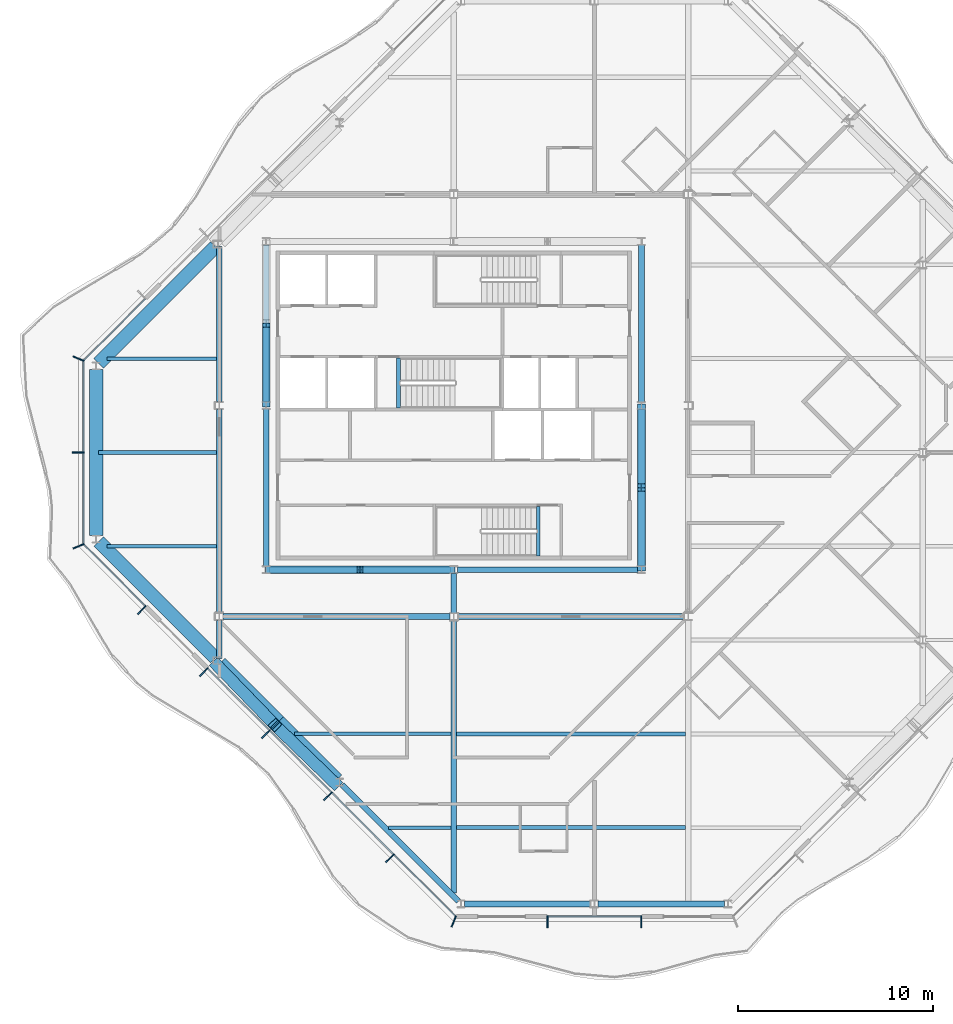
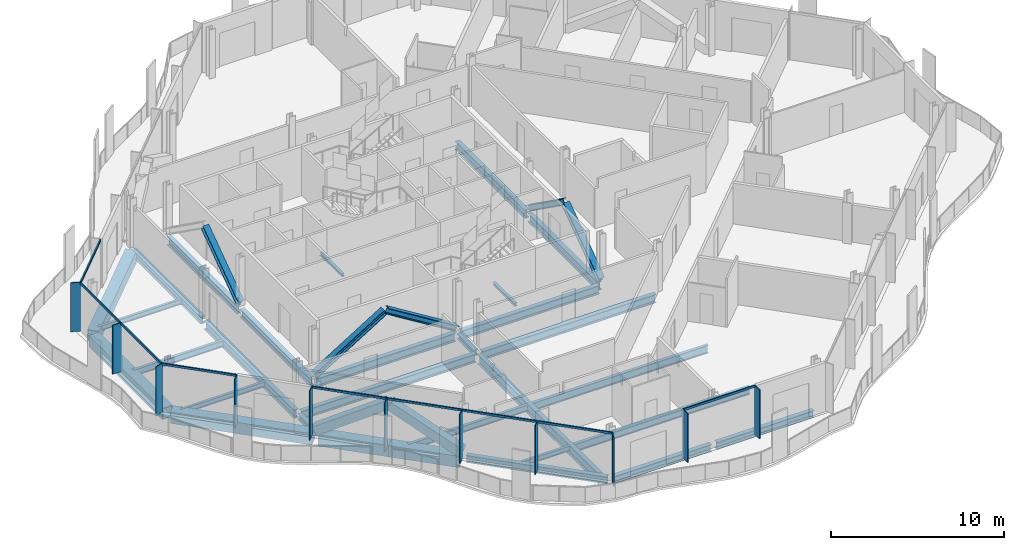
# One storey, part 3 of 17: 30 beams, 27 members, 4 elements without a shape of their own.
"""IFC4 building model written with IfcOpenShell, lengths in metres."""

from ifc_helpers import new_model, si_unit, direction, frame, origin, origin_2d, place, context, subcontext, project, spatial, rectangle, hollow_rectangle, i_section, extrude, material, material_profile, profile_set, type_object, element, aggregate, save


model = new_model("IFC4")

# Units and contexts
model_context = context("Model", 3, precision=1e-05, world=origin(), true_north=direction((0.0, 1.0)))
body_context = subcontext(model_context, "Body", "Model", "MODEL_VIEW")
ifc_project = project(units=[si_unit("LENGTHUNIT", "METRE"), si_unit("AREAUNIT", "SQUARE_METRE"), si_unit("VOLUMEUNIT", "CUBIC_METRE"), si_unit("PLANEANGLEUNIT", "RADIAN"), si_unit("MASSUNIT", "GRAM", prefix="KILO")], contexts=[model_context])

# Site, building, storey
site_placement = place(None, origin())
site = spatial("IfcSite", under=ifc_project, at=site_placement, CompositionType="ELEMENT")
building_placement = place(site_placement, origin())
building = spatial("IfcBuilding", under=site, at=building_placement, Name="Cairn Pilgrim Tower", CompositionType="ELEMENT")
storey_placement = place(building_placement, frame((0.0, 0.0, 274.199951171875)))
storey = spatial("IfcBuildingStorey", under=building, at=storey_placement, Name="L70", CompositionType="ELEMENT", Elevation=274.199951171875)

# Members
ifc_material_1 = material(Name="Structural steel S460M", Category="steel")
ifc_material_profile_1 = material_profile(ifc_material_1, hollow_rectangle(XDim=0.60009765625, YDim=0.60009765625, WallThickness=0.034912109375, at=origin_2d()), Name="BOX 600x600x35")
ifc_profile_set_1 = profile_set([ifc_material_profile_1], Name="Structural steel S460M")
member_type_1 = type_object("IfcMemberType", Name="BOX 600x600x35 BRACE", PredefinedType="BRACE", material=ifc_profile_set_1)
for number, where, z_axis, x_axis, name in (
    (1, (-4.9921875, -10.80908203125, 0.150146484375), (0.592543290535, -0.612512847648, 0.523183008428), (0.718725903967, 0.695293517132, 0.0), "XB-SW2-SW3-1"),
    (2, (1.19091796875, -16.9921875, 0.150146484375), (-0.612512847648, 0.592543290535, 0.523183008428), (-0.695293517132, -0.718725903967, 0.0), "XB-SW2-SW3-2"),
):
    element("IfcMember", number, at=place(storey_placement, frame(where, z_axis=z_axis, x_axis=x_axis)), inside=storey, type_object=member_type_1, Name=name, PredefinedType="BRACE", context=body_context, shape_type="SweptSolid", body=[
        extrude(hollow_rectangle(XDim=0.60009765625, YDim=0.60009765625, WallThickness=0.034912109375, at=origin_2d()), origin(), (0.0, 0.0, 1.0), 5.036865234375),
    ])

# Beams
ifc_material_2 = material(Name="Structural steel S355J2", Category="steel")
ifc_material_profile_2 = material_profile(ifc_material_2, hollow_rectangle(XDim=0.699951171875, YDim=0.800048828125, WallThickness=0.0400390625, at=origin_2d()), Name="BOX 700x800x40")
ifc_profile_set_2 = profile_set([ifc_material_profile_2], Name="Structural steel S355J2")
beam_type_1 = type_object("IfcBeamType", Name="BOX 700x800x40 RING GIRDER", PredefinedType="SPANDREL", material=ifc_profile_set_2)
beam_1_placement = place(storey_placement, frame((-5.002685546875, 10.5244140625, -0.550048828125), z_axis=(-0.707106781187, -0.707106781187, 0.0), x_axis=(0.707106781187, -0.707106781187, 0.0)))
element("IfcBeam", 3, at=beam_1_placement, inside=storey, type_object=beam_type_1, Name="RG4-NW3-W1", PredefinedType="SPANDREL", context=body_context, shape_type="SweptSolid", body=[
    extrude(hollow_rectangle(XDim=0.699951171875, YDim=0.800048828125, WallThickness=0.0400390625, at=origin_2d()), origin(), (0.0, 0.0, 1.0), 8.443115234375),
])
beam_2_placement = place(storey_placement, frame((-11.10009765625, 4.247802734375, -0.550048828125), z_axis=(0.0, -1.0, 0.0), x_axis=(1.0, 0.0, 0.0)))
element("IfcBeam", 4, at=beam_2_placement, inside=storey, type_object=beam_type_1, Name="RG4-W1-SW1", PredefinedType="SPANDREL", context=body_context, shape_type="SweptSolid", body=[
    extrude(hollow_rectangle(XDim=0.699951171875, YDim=0.800048828125, WallThickness=0.0400390625, at=origin_2d()), origin(), (0.0, 0.0, 1.0), 8.49560546875),
])
beam_3_placement = place(storey_placement, frame((-10.972900390625, -4.55419921875, -0.550048828125), z_axis=(0.707106781187, -0.707106781187, 0.0), x_axis=(0.707106781187, 0.707106781187, 0.0)))
element("IfcBeam", 5, at=beam_3_placement, inside=storey, type_object=beam_type_1, Name="RG4-SW1-SW2", PredefinedType="SPANDREL", context=body_context, shape_type="SweptSolid", body=[
    extrude(hollow_rectangle(XDim=0.699951171875, YDim=0.800048828125, WallThickness=0.0400390625, at=origin_2d()), origin(), (0.0, 0.0, 1.0), 8.443115234375),
])
for number, where, z_axis, x_axis, name in (
    (6, (-4.748779296875, -10.7783203125, -0.550048828125), (0.707077865986, -0.707135695205, 0.0), (0.707135695205, 0.707077865986, 0.0), "RG4-SW2-SW3-1"),
    (7, (-1.763671875, -13.763671875, -0.550048828125), (0.707135695205, -0.707077865986, 0.0), (0.707077865986, 0.707135695205, 0.0), "RG4-SW2-SW3-2"),
):
    element("IfcBeam", number, at=place(storey_placement, frame(where, z_axis=z_axis, x_axis=x_axis)), inside=storey, type_object=beam_type_1, Name=name, PredefinedType="SPANDREL", context=body_context, shape_type="SweptSolid", body=[
        extrude(hollow_rectangle(XDim=0.699951171875, YDim=0.800048828125, WallThickness=0.0400390625, at=origin_2d()), origin(), (0.0, 0.0, 1.0), 4.2216796875),
    ])

# Curtain wall, members
ifc_material_3 = material(Name="Aluminium alloy 6063-T6 bronze anodised with Bronze tinted laminated low-E glass 8+16+8.8", Category="aluminium")
curtain_wall_type = type_object("IfcCurtainWallType", Name="CROWN CURTAIN WALL", PredefinedType="NOTDEFINED", material=ifc_material_3)
curtain_wall_1_placement = place(storey_placement, origin())
curtain_wall_1 = element("IfcCurtainWall", 8, at=curtain_wall_1_placement, inside=storey, type_object=curtain_wall_type, Name="Crown Curtain Wall S", PredefinedType="NOTDEFINED")
ifc_material_4 = material(Name="Aluminium alloy 6063-T6 bronze anodised", Category="aluminium")
ifc_material_profile_3 = material_profile(ifc_material_4, rectangle(XDim=0.60009765625, YDim=0.06005859375, at=origin_2d()), Name="FIN MULLION 60x600 BRONZE")
ifc_profile_set_3 = profile_set([ifc_material_profile_3], Name="Aluminium alloy 6063-T6 bronze anodised")
member_type_2 = type_object("IfcMemberType", Name="FIN MULLION 60x600 BRONZE", PredefinedType="MULLION", material=ifc_profile_set_3)
member_1_placement = place(storey_placement, frame((7.2001953125, -23.99951171875, 0.0), z_axis=(0.0, 0.0, 1.0), x_axis=(-0.382683432365, -0.923879532511, 0.0)))
member_1 = element("IfcMember", 9, at=member_1_placement, type_object=member_type_2, Name="Fin mullion S1", PredefinedType="MULLION", context=body_context, shape_type="SweptSolid", body=[
    extrude(rectangle(XDim=0.60009765625, YDim=0.06005859375, at=origin_2d()), origin(), (0.0, 0.0, 1.0), 3.449951171875),
])
member_2_placement = place(storey_placement, frame((12.0, -24.02001953125, 0.0), z_axis=(0.0, 0.0, 1.0), x_axis=(0.0, -1.0, 0.0)))
member_2 = element("IfcMember", 10, at=member_2_placement, type_object=member_type_2, Name="Fin mullion S2", PredefinedType="MULLION", context=body_context, shape_type="SweptSolid", body=[
    extrude(rectangle(XDim=0.60009765625, YDim=0.06005859375, at=origin_2d()), origin(), (0.0, 0.0, 1.0), 3.449951171875),
])
member_3_placement = place(storey_placement, frame((16.800048828125, -24.02001953125, 0.0), z_axis=(0.0, 0.0, 1.0), x_axis=(0.0, -1.0, 0.0)))
member_3 = element("IfcMember", 11, at=member_3_placement, type_object=member_type_2, Name="Fin mullion S3", PredefinedType="MULLION", context=body_context, shape_type="SweptSolid", body=[
    extrude(rectangle(XDim=0.60009765625, YDim=0.06005859375, at=origin_2d()), origin(), (0.0, 0.0, 1.0), 3.449951171875),
])

curtain_wall_2_placement = place(storey_placement, origin())
curtain_wall_2 = element("IfcCurtainWall", 12, at=curtain_wall_2_placement, inside=storey, type_object=curtain_wall_type, Name="Crown Curtain Wall W", PredefinedType="NOTDEFINED")
member_4_placement = place(storey_placement, frame((-11.99951171875, 4.7998046875, 0.0), z_axis=(0.0, 0.0, 1.0), x_axis=(-0.923879532511, 0.382683432365, 0.0)))
member_4 = element("IfcMember", 13, at=member_4_placement, type_object=member_type_2, Name="Fin mullion W1", PredefinedType="MULLION", context=body_context, shape_type="SweptSolid", body=[
    extrude(rectangle(XDim=0.60009765625, YDim=0.06005859375, at=origin_2d()), origin(), (0.0, 0.0, 1.0), 3.449951171875),
])
member_5_placement = place(storey_placement, frame((-12.02001953125, 0.0, 0.0), z_axis=(0.0, 0.0, 1.0), x_axis=(-1.0, 0.0, 0.0)))
member_5 = element("IfcMember", 14, at=member_5_placement, type_object=member_type_2, Name="Fin mullion W2", PredefinedType="MULLION", context=body_context, shape_type="SweptSolid", body=[
    extrude(rectangle(XDim=0.60009765625, YDim=0.06005859375, at=origin_2d()), origin(), (0.0, 0.0, 1.0), 3.449951171875),
])

curtain_wall_3_placement = place(storey_placement, origin())
curtain_wall_3 = element("IfcCurtainWall", 15, at=curtain_wall_3_placement, inside=storey, type_object=curtain_wall_type, Name="Crown Curtain Wall SW", PredefinedType="NOTDEFINED")
member_6_placement = place(storey_placement, frame((-11.99951171875, -4.7998046875, 0.0), z_axis=(0.0, 0.0, 1.0), x_axis=(-0.923879532511, -0.382683432365, 0.0)))
member_6 = element("IfcMember", 16, at=member_6_placement, type_object=member_type_2, Name="Fin mullion SW1", PredefinedType="MULLION", context=body_context, shape_type="SweptSolid", body=[
    extrude(rectangle(XDim=0.60009765625, YDim=0.06005859375, at=origin_2d()), origin(), (0.0, 0.0, 1.0), 3.449951171875),
])
member_7_placement = place(storey_placement, frame((-8.765380859375, -8.06298828125, 0.0), z_axis=(0.0, 0.0, 1.0), x_axis=(-0.707106781187, -0.707106781187, 0.0)))
member_7 = element("IfcMember", 17, at=member_7_placement, type_object=member_type_2, Name="Fin mullion SW2", PredefinedType="MULLION", context=body_context, shape_type="SweptSolid", body=[
    extrude(rectangle(XDim=0.60009765625, YDim=0.06005859375, at=origin_2d()), origin(), (0.0, 0.0, 1.0), 3.449951171875),
])
member_8_placement = place(storey_placement, frame((-5.58984375, -11.238525390625, 0.0), z_axis=(0.0, 0.0, 1.0), x_axis=(-0.707106781187, -0.707106781187, 0.0)))
member_8 = element("IfcMember", 18, at=member_8_placement, type_object=member_type_2, Name="Fin mullion SW3", PredefinedType="MULLION", context=body_context, shape_type="SweptSolid", body=[
    extrude(rectangle(XDim=0.60009765625, YDim=0.06005859375, at=origin_2d()), origin(), (0.0, 0.0, 1.0), 3.449951171875),
])
member_9_placement = place(storey_placement, frame((-2.4140625, -14.4140625, 0.0), z_axis=(0.0, 0.0, 1.0), x_axis=(-0.707106781187, -0.707106781187, 0.0)))
member_9 = element("IfcMember", 19, at=member_9_placement, type_object=member_type_2, Name="Fin mullion SW4", PredefinedType="MULLION", context=body_context, shape_type="SweptSolid", body=[
    extrude(rectangle(XDim=0.60009765625, YDim=0.06005859375, at=origin_2d()), origin(), (0.0, 0.0, 1.0), 3.449951171875),
])
member_10_placement = place(storey_placement, frame((0.761474609375, -17.58984375, 0.0), z_axis=(0.0, 0.0, 1.0), x_axis=(-0.707106781187, -0.707106781187, 0.0)))
member_10 = element("IfcMember", 20, at=member_10_placement, type_object=member_type_2, Name="Fin mullion SW5", PredefinedType="MULLION", context=body_context, shape_type="SweptSolid", body=[
    extrude(rectangle(XDim=0.60009765625, YDim=0.06005859375, at=origin_2d()), origin(), (0.0, 0.0, 1.0), 3.449951171875),
])
member_11_placement = place(storey_placement, frame((3.93701171875, -20.765380859375, 0.0), z_axis=(0.0, 0.0, 1.0), x_axis=(-0.707106781187, -0.707106781187, 0.0)))
member_11 = element("IfcMember", 21, at=member_11_placement, type_object=member_type_2, Name="Fin mullion SW6", PredefinedType="MULLION", context=body_context, shape_type="SweptSolid", body=[
    extrude(rectangle(XDim=0.60009765625, YDim=0.06005859375, at=origin_2d()), origin(), (0.0, 0.0, 1.0), 3.449951171875),
])

# Members
ifc_material_profile_4 = material_profile(ifc_material_2, i_section(OverallWidth=0.39794921875, OverallDepth=0.386962890625, WebThickness=0.02099609375, FlangeThickness=0.033203125, FilletRadius=0.014892578125, at=origin_2d()), Name="HD 400x262")
ifc_profile_set_4 = profile_set([ifc_material_profile_4], Name="Structural steel S355J2")
member_type_3 = type_object("IfcMemberType", Name="HD 400x262 BRACE", PredefinedType="BRACE", material=ifc_profile_set_4)
for number, where, z_axis, x_axis, name in (
    (22, (-2.360107421875, -6.0, 0.10009765625), (0.85121689147, 0.0, 0.524814065814), (0.0, 1.0, 0.0), "KB-1A"),
    (23, (7.16015625, -6.0, 0.10009765625), (-0.85121689147, 0.0, 0.524814065814), (0.0, -1.0, 0.0), "KB-1B"),
):
    element("IfcMember", number, at=place(storey_placement, frame(where, z_axis=z_axis, x_axis=x_axis)), inside=storey, type_object=member_type_3, Name=name, PredefinedType="BRACE", context=body_context, shape_type="SweptSolid", body=[
        extrude(i_section(OverallWidth=0.39794921875, OverallDepth=0.386962890625, WebThickness=0.02099609375, FlangeThickness=0.033203125, FilletRadius=0.014892578125, at=origin_2d()), origin(), (0.0, 0.0, 1.0), 5.52978515625),
    ])
for number, where, z_axis, x_axis, name in (
    (24, (16.800048828125, -5.960205078125, 0.10009765625), (0.0, 0.814462005215, 0.580216892258), (-1.0, 0.0, 0.0), "KB-2A"),
    (25, (16.800048828125, 2.360107421875, 0.10009765625), (0.0, -0.814462005215, 0.580216892258), (1.0, 0.0, 0.0), "KB-2B"),
    (26, (-2.39990234375, 2.439697265625, 0.10009765625), (0.0, 0.814462005215, 0.580216892258), (-1.0, 0.0, 0.0), "KB-4B"),
):
    element("IfcMember", number, at=place(storey_placement, frame(where, z_axis=z_axis, x_axis=x_axis)), inside=storey, type_object=member_type_3, Name=name, PredefinedType="BRACE", context=body_context, shape_type="SweptSolid", body=[
        extrude(i_section(OverallWidth=0.39794921875, OverallDepth=0.386962890625, WebThickness=0.02099609375, FlangeThickness=0.033203125, FilletRadius=0.014892578125, at=origin_2d()), origin(), (0.0, 0.0, 1.0), 4.999755859375),
    ])

# Beams
ifc_material_profile_5 = material_profile(ifc_material_2, i_section(OverallWidth=0.300048828125, OverallDepth=0.39990234375, WebThickness=0.013427734375, FlangeThickness=0.02392578125, FilletRadius=0.027099609375, at=origin_2d()), Name="HEB 400")
ifc_profile_set_5 = profile_set([ifc_material_profile_5], Name="Structural steel S355J2")
beam_type_2 = type_object("IfcBeamType", Name="HEB 400 GIRDER", PredefinedType="BEAM", material=ifc_profile_set_5)
beam_4_placement = place(storey_placement, frame((-4.800048828125, -10.545166015625, -0.349853515625), z_axis=(0.0, 1.0, 0.0), x_axis=(-1.0, 0.0, 0.0)))
element("IfcBeam", 27, at=beam_4_placement, inside=storey, type_object=beam_type_2, Name="PG2-E1", PredefinedType="BEAM", context=body_context, shape_type="SweptSolid", body=[
    extrude(i_section(OverallWidth=0.300048828125, OverallDepth=0.39990234375, WebThickness=0.013427734375, FlangeThickness=0.02392578125, FilletRadius=0.027099609375, at=origin_2d()), origin(), (0.0, 0.0, 1.0), 1.9482421875),
])
beam_5_placement = place(storey_placement, frame((7.199951171875, -8.202880859375, -0.349853515625), z_axis=(0.0, 1.0, 0.0), x_axis=(-1.0, 0.0, 0.0)))
element("IfcBeam", 28, at=beam_5_placement, inside=storey, type_object=beam_type_2, Name="PG3-E1", PredefinedType="BEAM", context=body_context, shape_type="SweptSolid", body=[
    extrude(i_section(OverallWidth=0.300048828125, OverallDepth=0.39990234375, WebThickness=0.013427734375, FlangeThickness=0.02392578125, FilletRadius=0.027099609375, at=origin_2d()), origin(), (0.0, 0.0, 1.0), 2.00390625),
])
ifc_material_profile_6 = material_profile(ifc_material_2, i_section(OverallWidth=0.300048828125, OverallDepth=0.5, WebThickness=0.014404296875, FlangeThickness=0.028076171875, FilletRadius=0.027099609375, at=origin_2d()), Name="HEB 500")
ifc_profile_set_6 = profile_set([ifc_material_profile_6], Name="Structural steel S355J2")
beam_type_3 = type_object("IfcBeamType", Name="HEB 500 GIRDER", PredefinedType="BEAM", material=ifc_profile_set_6)
beam_6_placement = place(storey_placement, frame((-4.800048828125, 2.596923828125, -0.39990234375), z_axis=(0.0, 1.0, 0.0), x_axis=(-1.0, 0.0, 0.0)))
element("IfcBeam", 29, at=beam_6_placement, inside=storey, type_object=beam_type_3, Name="PG2-2", PredefinedType="BEAM", context=body_context, shape_type="SweptSolid", body=[
    extrude(i_section(OverallWidth=0.300048828125, OverallDepth=0.5, WebThickness=0.014404296875, FlangeThickness=0.028076171875, FilletRadius=0.027099609375, at=origin_2d()), origin(), (0.0, 0.0, 1.0), 7.9482421875),
])
ifc_material_profile_7 = material_profile(ifc_material_2, i_section(OverallWidth=0.300048828125, OverallDepth=0.5, WebThickness=0.014404296875, FlangeThickness=0.028076171875, FilletRadius=0.027099609375, at=origin_2d()), Name="HEB 500")
ifc_profile_set_7 = profile_set([ifc_material_profile_7], Name="Structural steel S355J2")
beam_type_4 = type_object("IfcBeamType", Name="HEB 500 RING GIRDER", PredefinedType="SPANDREL", material=ifc_profile_set_7)
beam_7_placement = place(storey_placement, frame((7.752197265625, -23.10009765625, -0.39990234375), z_axis=(1.0, 0.0, 0.0), x_axis=(0.0, 1.0, 0.0)))
element("IfcBeam", 30, at=beam_7_placement, inside=storey, type_object=beam_type_4, Name="RG4-S1-S2", PredefinedType="SPANDREL", context=body_context, shape_type="SweptSolid", body=[
    extrude(i_section(OverallWidth=0.300048828125, OverallDepth=0.5, WebThickness=0.014404296875, FlangeThickness=0.028076171875, FilletRadius=0.027099609375, at=origin_2d()), origin(), (0.0, 0.0, 1.0), 6.46826171875),
])
beam_8_placement = place(storey_placement, frame((14.57958984375, -23.10009765625, -0.39990234375), z_axis=(1.0, 0.0, 0.0), x_axis=(0.0, 1.0, 0.0)))
element("IfcBeam", 31, at=beam_8_placement, inside=storey, type_object=beam_type_4, Name="RG4-S2-SE1", PredefinedType="SPANDREL", context=body_context, shape_type="SweptSolid", body=[
    extrude(i_section(OverallWidth=0.300048828125, OverallDepth=0.5, WebThickness=0.014404296875, FlangeThickness=0.028076171875, FilletRadius=0.027099609375, at=origin_2d()), origin(), (0.0, 0.0, 1.0), 6.468017578125),
])
beam_9_placement = place(storey_placement, frame((1.4755859375, -17.002685546875, -0.39990234375), z_axis=(0.707106781187, -0.707106781187, 0.0), x_axis=(0.707106781187, 0.707106781187, 0.0)))
element("IfcBeam", 32, at=beam_9_placement, inside=storey, type_object=beam_type_4, Name="RG4-SW3-S1", PredefinedType="SPANDREL", context=body_context, shape_type="SweptSolid", body=[
    extrude(i_section(OverallWidth=0.300048828125, OverallDepth=0.5, WebThickness=0.014404296875, FlangeThickness=0.028076171875, FilletRadius=0.027099609375, at=origin_2d()), origin(), (0.0, 0.0, 1.0), 8.443115234375),
])
ifc_material_profile_8 = material_profile(ifc_material_2, i_section(OverallWidth=0.300048828125, OverallDepth=0.60009765625, WebThickness=0.015380859375, FlangeThickness=0.030029296875, FilletRadius=0.027099609375, at=origin_2d()), Name="HEB 600")
ifc_profile_set_8 = profile_set([ifc_material_profile_8], Name="Structural steel S355J2")
beam_type_5 = type_object("IfcBeamType", Name="HEB 600 CORE BEAM", PredefinedType="BEAM", material=ifc_profile_set_8)
beam_10_placement = place(storey_placement, frame((-2.220947265625, -6.0, -0.449951171875), z_axis=(1.0, 0.0, 0.0), x_axis=(0.0, 1.0, 0.0)))
element("IfcBeam", 33, at=beam_10_placement, inside=storey, type_object=beam_type_5, Name="CB-1", PredefinedType="BEAM", context=body_context, shape_type="SweptSolid", body=[
    extrude(i_section(OverallWidth=0.300048828125, OverallDepth=0.60009765625, WebThickness=0.015380859375, FlangeThickness=0.030029296875, FilletRadius=0.027099609375, at=origin_2d()), origin(), (0.0, 0.0, 1.0), 9.241943359375),
])
beam_11_placement = place(storey_placement, frame((7.379150390625, -6.0, -0.449951171875), z_axis=(1.0, 0.0, 0.0), x_axis=(0.0, 1.0, 0.0)))
element("IfcBeam", 34, at=beam_11_placement, inside=storey, type_object=beam_type_5, Name="CB-2", PredefinedType="BEAM", context=body_context, shape_type="SweptSolid", body=[
    extrude(i_section(OverallWidth=0.300048828125, OverallDepth=0.60009765625, WebThickness=0.015380859375, FlangeThickness=0.030029296875, FilletRadius=0.027099609375, at=origin_2d()), origin(), (0.0, 0.0, 1.0), 9.24169921875),
])
for number, where, z_axis, x_axis, name in (
    (35, (16.800048828125, -5.82080078125, -0.449951171875), (0.0, 1.0, 0.0), (-1.0, 0.0, 0.0), "CB-3"),
    (36, (16.800048828125, 2.5791015625, -0.449951171875), (0.0, 1.0, 0.0), (-1.0, 0.0, 0.0), "CB-4"),
    (37, (-2.39990234375, 10.620849609375, -0.449951171875), (0.0, -1.0, 0.0), (1.0, 0.0, 0.0), "CB-7"),
    (38, (-2.39990234375, 2.220947265625, -0.449951171875), (0.0, -1.0, 0.0), (1.0, 0.0, 0.0), "CB-8"),
):
    element("IfcBeam", number, at=place(storey_placement, frame(where, z_axis=z_axis, x_axis=x_axis)), inside=storey, type_object=beam_type_5, Name=name, PredefinedType="BEAM", context=body_context, shape_type="SweptSolid", body=[
        extrude(i_section(OverallWidth=0.300048828125, OverallDepth=0.60009765625, WebThickness=0.015380859375, FlangeThickness=0.030029296875, FilletRadius=0.027099609375, at=origin_2d()), origin(), (0.0, 0.0, 1.0), 8.041748046875),
    ])
ifc_material_profile_9 = material_profile(ifc_material_2, i_section(OverallWidth=0.300048828125, OverallDepth=0.60009765625, WebThickness=0.015380859375, FlangeThickness=0.030029296875, FilletRadius=0.027099609375, at=origin_2d()), Name="HEB 600")
ifc_profile_set_9 = profile_set([ifc_material_profile_9], Name="Structural steel S355J2")
beam_type_6 = type_object("IfcBeamType", Name="HEB 600 GIRDER", PredefinedType="BEAM", material=ifc_profile_set_9)
beam_12_placement = place(storey_placement, frame((-4.800048828125, -8.202880859375, -0.449951171875), z_axis=(0.0, 1.0, 0.0), x_axis=(-1.0, 0.0, 0.0)))
element("IfcBeam", 39, at=beam_12_placement, inside=storey, type_object=beam_type_6, Name="PG2-1", PredefinedType="BEAM", context=body_context, shape_type="SweptSolid", body=[
    extrude(i_section(OverallWidth=0.300048828125, OverallDepth=0.60009765625, WebThickness=0.015380859375, FlangeThickness=0.030029296875, FilletRadius=0.027099609375, at=origin_2d()), origin(), (0.0, 0.0, 1.0), 10.40576171875),
])
ifc_material_profile_10 = material_profile(ifc_material_2, i_section(OverallWidth=0.300048828125, OverallDepth=0.60009765625, WebThickness=0.015380859375, FlangeThickness=0.030029296875, FilletRadius=0.027099609375, at=origin_2d()), Name="HEB 600")
ifc_profile_set_10 = profile_set([ifc_material_profile_10], Name="Structural steel S355J2")
beam_type_7 = type_object("IfcBeamType", Name="HEB 600 INNER GIRDER", PredefinedType="BEAM", material=ifc_profile_set_10)
for number, where, z_axis, x_axis, name in (
    (40, (-4.60302734375, -8.39990234375, -0.449951171875), (1.0, 0.0, 0.0), (0.0, 1.0, 0.0), "IG1-1"),
    (41, (7.39697265625, -8.39990234375, -0.449951171875), (1.0, 0.0, 0.0), (0.0, 1.0, 0.0), "IG1-2"),
):
    element("IfcBeam", number, at=place(storey_placement, frame(where, z_axis=z_axis, x_axis=x_axis)), inside=storey, type_object=beam_type_7, Name=name, PredefinedType="BEAM", context=body_context, shape_type="SweptSolid", body=[
        extrude(i_section(OverallWidth=0.300048828125, OverallDepth=0.60009765625, WebThickness=0.015380859375, FlangeThickness=0.030029296875, FilletRadius=0.027099609375, at=origin_2d()), origin(), (0.0, 0.0, 1.0), 11.60595703125),
    ])
ifc_material_profile_11 = material_profile(ifc_material_2, i_section(OverallWidth=0.300048828125, OverallDepth=0.699951171875, WebThickness=0.01708984375, FlangeThickness=0.031982421875, FilletRadius=0.027099609375, at=origin_2d()), Name="HEB 700")
ifc_profile_set_11 = profile_set([ifc_material_profile_11], Name="Structural steel S355J2")
beam_type_8 = type_object("IfcBeamType", Name="HEB 700 GIRDER", PredefinedType="BEAM", material=ifc_profile_set_11)
beam_13_placement = place(storey_placement, frame((7.199951171875, -22.545166015625, -0.5), z_axis=(0.0, 1.0, 0.0), x_axis=(-1.0, 0.0, 0.0)))
element("IfcBeam", 42, at=beam_13_placement, inside=storey, type_object=beam_type_8, Name="PG3-1", PredefinedType="BEAM", context=body_context, shape_type="SweptSolid", body=[
    extrude(i_section(OverallWidth=0.300048828125, OverallDepth=0.699951171875, WebThickness=0.01708984375, FlangeThickness=0.031982421875, FilletRadius=0.027099609375, at=origin_2d()), origin(), (0.0, 0.0, 1.0), 13.9482421875),
])
ifc_material_profile_12 = material_profile(ifc_material_2, i_section(OverallWidth=0.169921875, OverallDepth=0.360107421875, WebThickness=0.008056640625, FlangeThickness=0.0126953125, FilletRadius=0.01806640625, at=origin_2d()), Name="IPE 360")
ifc_profile_set_12 = profile_set([ifc_material_profile_12], Name="Structural steel S355J2")
beam_type_9 = type_object("IfcBeamType", Name="IPE 360 SECONDARY BEAM", PredefinedType="JOIST", material=ifc_profile_set_12)
beam_14_placement = place(storey_placement, frame((3.85498046875, -19.199951171875, -0.329833984375), z_axis=(1.0, 0.0, 0.0), x_axis=(0.0, 1.0, 0.0)))
element("IfcBeam", 43, at=beam_14_placement, inside=storey, type_object=beam_type_9, Name="SB1-1", PredefinedType="JOIST", context=body_context, shape_type="SweptSolid", body=[
    extrude(i_section(OverallWidth=0.169921875, OverallDepth=0.360107421875, WebThickness=0.008056640625, FlangeThickness=0.0126953125, FilletRadius=0.01806640625, at=origin_2d()), origin(), (0.0, 0.0, 1.0), 3.195068359375),
])
for number, where, z_axis, x_axis, name in (
    (44, (-10.545166015625, -4.800048828125, -0.329833984375), (1.0, 0.0, 0.0), (0.0, 1.0, 0.0), "SB4-1"),
    (45, (-10.545166015625, 4.800048828125, -0.329833984375), (1.0, 0.0, 0.0), (0.0, 1.0, 0.0), "SB6-1"),
):
    element("IfcBeam", number, at=place(storey_placement, frame(where, z_axis=z_axis, x_axis=x_axis)), inside=storey, type_object=beam_type_9, Name=name, PredefinedType="JOIST", context=body_context, shape_type="SweptSolid", body=[
        extrude(i_section(OverallWidth=0.169921875, OverallDepth=0.360107421875, WebThickness=0.008056640625, FlangeThickness=0.0126953125, FilletRadius=0.01806640625, at=origin_2d()), origin(), (0.0, 0.0, 1.0), 5.59521484375),
    ])
ifc_material_profile_13 = material_profile(ifc_material_2, i_section(OverallWidth=0.18994140625, OverallDepth=0.449951171875, WebThickness=0.009521484375, FlangeThickness=0.0146484375, FilletRadius=0.02099609375, at=origin_2d()), Name="IPE 450")
ifc_profile_set_13 = profile_set([ifc_material_profile_13], Name="Structural steel S355J2")
beam_type_10 = type_object("IfcBeamType", Name="IPE 450 SECONDARY BEAM", PredefinedType="JOIST", material=ifc_profile_set_13)
beam_15_placement = place(storey_placement, frame((-0.945068359375, -14.39990234375, -0.375), z_axis=(1.0, 0.0, 0.0), x_axis=(0.0, 1.0, 0.0)))
element("IfcBeam", 46, at=beam_15_placement, inside=storey, type_object=beam_type_10, Name="SB2-1", PredefinedType="JOIST", context=body_context, shape_type="SweptSolid", body=[
    extrude(i_section(OverallWidth=0.18994140625, OverallDepth=0.449951171875, WebThickness=0.009521484375, FlangeThickness=0.0146484375, FilletRadius=0.02099609375, at=origin_2d()), origin(), (0.0, 0.0, 1.0), 7.9951171875),
])
beam_16_placement = place(storey_placement, frame((-10.97998046875, 0.0, -0.375), z_axis=(1.0, 0.0, 0.0), x_axis=(0.0, 1.0, 0.0)))
element("IfcBeam", 47, at=beam_16_placement, inside=storey, type_object=beam_type_10, Name="SB5-1", PredefinedType="JOIST", context=body_context, shape_type="SweptSolid", body=[
    extrude(i_section(OverallWidth=0.18994140625, OverallDepth=0.449951171875, WebThickness=0.009521484375, FlangeThickness=0.0146484375, FilletRadius=0.02099609375, at=origin_2d()), origin(), (0.0, 0.0, 1.0), 6.030029296875),
])
ifc_material_profile_14 = material_profile(ifc_material_2, i_section(OverallWidth=0.2099609375, OverallDepth=0.550048828125, WebThickness=0.010986328125, FlangeThickness=0.01708984375, FilletRadius=0.02392578125, at=origin_2d()), Name="IPE 550")
ifc_profile_set_14 = profile_set([ifc_material_profile_14], Name="Structural steel S355J2")
beam_type_11 = type_object("IfcBeamType", Name="IPE 550 SECONDARY BEAM", PredefinedType="JOIST", material=ifc_profile_set_14)
for number, where, z_axis, x_axis, name in (
    (48, (7.35009765625, -19.199951171875, -0.425048828125), (1.0, 0.0, 0.0), (0.0, 1.0, 0.0), "SB1-2"),
    (49, (7.35009765625, -14.39990234375, -0.425048828125), (1.0, 0.0, 0.0), (0.0, 1.0, 0.0), "SB2-2"),
):
    element("IfcBeam", number, at=place(storey_placement, frame(where, z_axis=z_axis, x_axis=x_axis)), inside=storey, type_object=beam_type_11, Name=name, PredefinedType="JOIST", context=body_context, shape_type="SweptSolid", body=[
        extrude(i_section(OverallWidth=0.2099609375, OverallDepth=0.550048828125, WebThickness=0.010986328125, FlangeThickness=0.01708984375, FilletRadius=0.02392578125, at=origin_2d()), origin(), (0.0, 0.0, 1.0), 11.699951171875),
    ])
ifc_material_profile_15 = material_profile(ifc_material_2, i_section(OverallWidth=0.199951171875, OverallDepth=0.199951171875, WebThickness=0.009033203125, FlangeThickness=0.014892578125, FilletRadius=0.01806640625, at=origin_2d()), Name="HE 200 B")
ifc_profile_set_15 = profile_set([ifc_material_profile_15], Name="Structural steel S355J2")
beam_type_12 = type_object("IfcBeamType", Name="STAIR LANDING BEAM HE 200 B", PredefinedType="BEAM", material=ifc_profile_set_15)
beam_17_placement = place(storey_placement, frame((11.5244140625, -2.77490234375, -0.25), z_axis=(0.0, -1.0, 0.0), x_axis=(1.0, 0.0, 0.0)))
element("IfcBeam", 50, at=beam_17_placement, inside=storey, type_object=beam_type_12, Name="STAIR LANDING BEAM LD-HE200B", PredefinedType="BEAM", context=body_context, shape_type="SweptSolid", body=[
    extrude(i_section(OverallWidth=0.199951171875, OverallDepth=0.199951171875, WebThickness=0.009033203125, FlangeThickness=0.014892578125, FilletRadius=0.01806640625, at=origin_2d()), origin(), (0.0, 0.0, 1.0), 2.525146484375),
])
beam_18_placement = place(storey_placement, frame((4.37548828125, 2.27490234375, -0.25), z_axis=(0.0, 1.0, 0.0), x_axis=(-1.0, 0.0, 0.0)))
element("IfcBeam", 51, at=beam_18_placement, inside=storey, type_object=beam_type_12, Name="STAIR LANDING BEAM LD-HE200B", PredefinedType="BEAM", context=body_context, shape_type="SweptSolid", body=[
    extrude(i_section(OverallWidth=0.199951171875, OverallDepth=0.199951171875, WebThickness=0.009033203125, FlangeThickness=0.014892578125, FilletRadius=0.01806640625, at=origin_2d()), origin(), (0.0, 0.0, 1.0), 2.550048828125),
])

# Member
ifc_material_profile_16 = material_profile(ifc_material_4, rectangle(XDim=0.080078125, YDim=0.14990234375, at=origin_2d()), Name="TRANSOM 80x150 BRONZE")
ifc_profile_set_16 = profile_set([ifc_material_profile_16], Name="Aluminium alloy 6063-T6 bronze anodised")
member_type_4 = type_object("IfcMemberType", Name="TRANSOM 80x150 BRONZE", PredefinedType="USERDEFINED", material=ifc_profile_set_16)
member_12_placement = place(storey_placement, frame((12.030029296875, -23.75, 3.375), z_axis=(1.0, 0.0, 0.0), x_axis=(0.0, 1.0, 0.0)))
member_12 = element("IfcMember", 52, at=member_12_placement, type_object=member_type_4, Name="Transom S2", ObjectType="TRANSOM", PredefinedType="USERDEFINED", context=body_context, shape_type="SweptSolid", body=[
    extrude(rectangle(XDim=0.080078125, YDim=0.14990234375, at=origin_2d()), origin(), (0.0, 0.0, 1.0), 4.739990234375),
])

aggregate(curtain_wall_1, [member_1, member_2, member_3, member_12])

# Curtain wall, member
curtain_wall_4_placement = place(storey_placement, origin())
curtain_wall_4 = element("IfcCurtainWall", 53, at=curtain_wall_4_placement, inside=storey, type_object=curtain_wall_type, Name="Crown Curtain Wall NW", PredefinedType="NOTDEFINED")
member_13_placement = place(storey_placement, frame((-8.595703125, 7.850830078125, 3.375), z_axis=(-0.707079168996, -0.707134392299, 0.0), x_axis=(0.707134392299, -0.707079168996, 0.0)))
member_13 = element("IfcMember", 54, at=member_13_placement, type_object=member_type_4, Name="Transom NW6", ObjectType="TRANSOM", PredefinedType="USERDEFINED", context=body_context, shape_type="SweptSolid", body=[
    extrude(rectangle(XDim=0.080078125, YDim=0.14990234375, at=origin_2d()), origin(), (0.0, 0.0, 1.0), 4.4208984375),
])
aggregate(curtain_wall_4, [member_13])

# Member
member_14_placement = place(storey_placement, frame((-11.75, 4.656494140625, 3.375), z_axis=(0.0, -1.0, 0.0), x_axis=(1.0, 0.0, 0.0)))
member_14 = element("IfcMember", 55, at=member_14_placement, type_object=member_type_4, Name="Transom W1", ObjectType="TRANSOM", PredefinedType="USERDEFINED", context=body_context, shape_type="SweptSolid", body=[
    extrude(rectangle(XDim=0.080078125, YDim=0.14990234375, at=origin_2d()), origin(), (0.0, 0.0, 1.0), 4.62646484375),
])

member_15_placement = place(storey_placement, frame((-11.75, -0.030029296875, 3.375), z_axis=(0.0, -1.0, 0.0), x_axis=(1.0, 0.0, 0.0)))
member_15 = element("IfcMember", 56, at=member_15_placement, type_object=member_type_4, Name="Transom W2", ObjectType="TRANSOM", PredefinedType="USERDEFINED", context=body_context, shape_type="SweptSolid", body=[
    extrude(rectangle(XDim=0.080078125, YDim=0.14990234375, at=origin_2d()), origin(), (0.0, 0.0, 1.0), 4.62646484375),
])

aggregate(curtain_wall_2, [member_4, member_5, member_14, member_15])

member_16_placement = place(storey_placement, frame((-11.7216796875, -4.724609375, 3.375), z_axis=(0.707079168996, -0.707134392299, 0.0), x_axis=(0.707134392299, 0.707079168996, 0.0)))
member_16 = element("IfcMember", 57, at=member_16_placement, type_object=member_type_4, Name="Transom SW1", ObjectType="TRANSOM", PredefinedType="USERDEFINED", context=body_context, shape_type="SweptSolid", body=[
    extrude(rectangle(XDim=0.080078125, YDim=0.14990234375, at=origin_2d()), origin(), (0.0, 0.0, 1.0), 4.4208984375),
])

member_17_placement = place(storey_placement, frame((-5.377685546875, -11.06884765625, 3.375), z_axis=(0.707134329907, -0.707079231393, 0.0), x_axis=(0.707079231393, 0.707134329907, 0.0)))
member_17 = element("IfcMember", 58, at=member_17_placement, type_object=member_type_4, Name="Transom SW3", ObjectType="TRANSOM", PredefinedType="USERDEFINED", context=body_context, shape_type="SweptSolid", body=[
    extrude(rectangle(XDim=0.080078125, YDim=0.14990234375, at=origin_2d()), origin(), (0.0, 0.0, 1.0), 4.430908203125),
])

member_18_placement = place(storey_placement, frame((-2.201904296875, -14.244384765625, 3.375), z_axis=(0.707079231393, -0.707134329907, 0.0), x_axis=(0.707134329907, 0.707079231393, 0.0)))
member_18 = element("IfcMember", 59, at=member_18_placement, type_object=member_type_4, Name="Transom SW4", ObjectType="TRANSOM", PredefinedType="USERDEFINED", context=body_context, shape_type="SweptSolid", body=[
    extrude(rectangle(XDim=0.080078125, YDim=0.14990234375, at=origin_2d()), origin(), (0.0, 0.0, 1.0), 4.430908203125),
])

member_19_placement = place(storey_placement, frame((0.9736328125, -17.419921875, 3.375), z_axis=(0.707079231393, -0.707134329907, 0.0), x_axis=(0.707134329907, 0.707079231393, 0.0)))
member_19 = element("IfcMember", 60, at=member_19_placement, type_object=member_type_4, Name="Transom SW5", ObjectType="TRANSOM", PredefinedType="USERDEFINED", context=body_context, shape_type="SweptSolid", body=[
    extrude(rectangle(XDim=0.080078125, YDim=0.14990234375, at=origin_2d()), origin(), (0.0, 0.0, 1.0), 4.430908203125),
])

member_20_placement = place(storey_placement, frame((4.149169921875, -20.595703125, 3.375), z_axis=(0.707134392299, -0.707079168996, 0.0), x_axis=(0.707079168996, 0.707134392299, 0.0)))
member_20 = element("IfcMember", 61, at=member_20_placement, type_object=member_type_4, Name="Transom SW6", ObjectType="TRANSOM", PredefinedType="USERDEFINED", context=body_context, shape_type="SweptSolid", body=[
    extrude(rectangle(XDim=0.080078125, YDim=0.14990234375, at=origin_2d()), origin(), (0.0, 0.0, 1.0), 4.4208984375),
])

aggregate(curtain_wall_3, [member_6, member_7, member_8, member_9, member_10, member_11, member_16, member_17, member_18, member_19, member_20])

save(model, "model.ifc")
